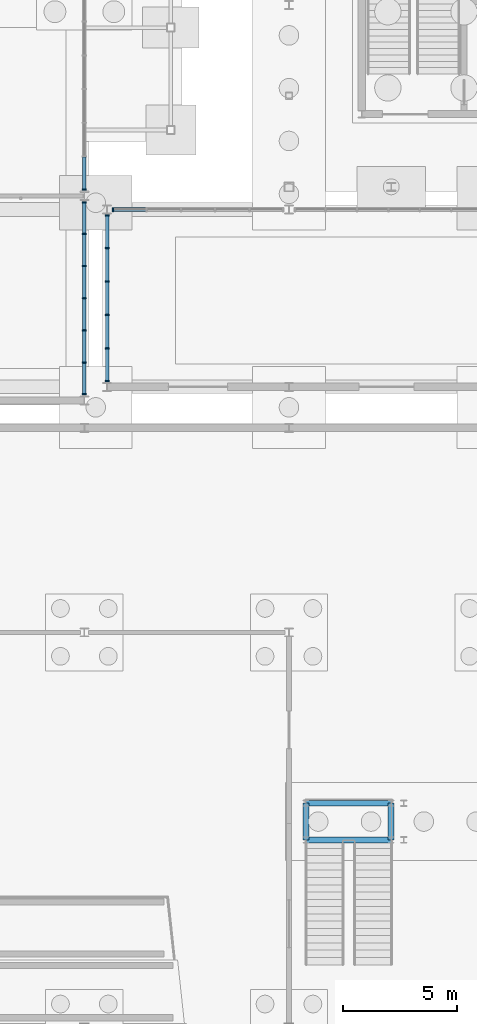
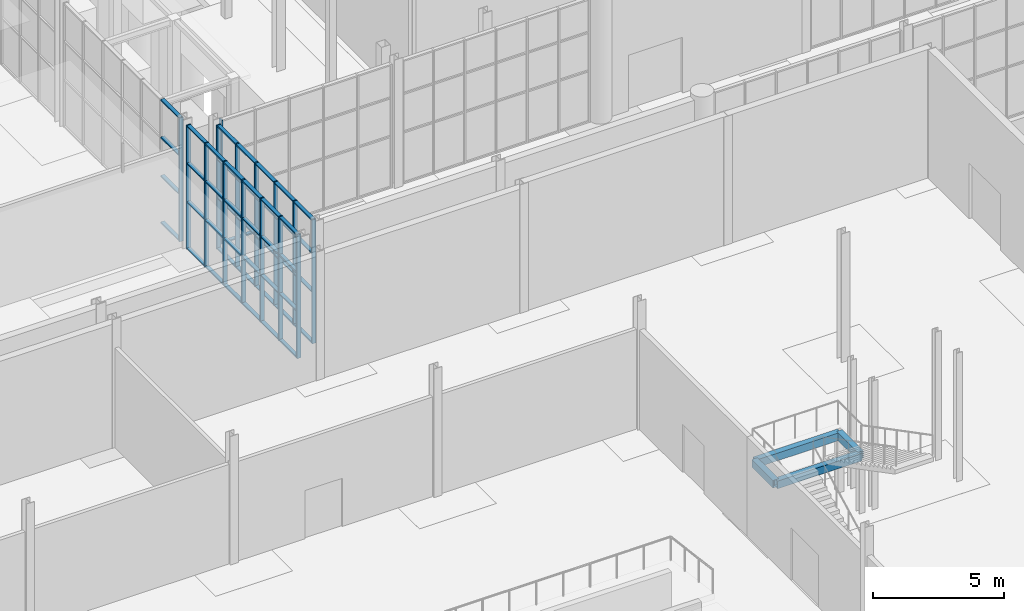
# One storey, part 40 of 131: 64 members, 4 beams, 4 elements without a shape of their own.
"""IFC4 building model written with IfcOpenShell, lengths in metres."""

from ifc_helpers import new_model, si_unit, direction, frame, origin, origin_2d, place, context, subcontext, project, spatial, rectangle, hollow_rectangle, extrude, material, layer, layer_set, material_profile, profile_set, type_object, element, aggregate, save


model = new_model("IFC4")

# Units and contexts
model_context = context("Model", 3, precision=1e-05, world=origin(), true_north=direction((0.0, 1.0)))
body_context = subcontext(model_context, "Body", "Model", "MODEL_VIEW")
ifc_project = project(units=[si_unit("LENGTHUNIT", "METRE"), si_unit("AREAUNIT", "SQUARE_METRE"), si_unit("VOLUMEUNIT", "CUBIC_METRE"), si_unit("PLANEANGLEUNIT", "RADIAN"), si_unit("MASSUNIT", "GRAM", prefix="KILO")], contexts=[model_context])

# Site, building, storey
site_placement = place(None, origin())
site = spatial("IfcSite", under=ifc_project, at=site_placement, CompositionType="ELEMENT")
building_placement = place(site_placement, origin())
building = spatial("IfcBuilding", under=site, at=building_placement, Name="Cazmaro Siding Exhibition Halls", CompositionType="ELEMENT")
storey_placement = place(building_placement, origin())
storey = spatial("IfcBuildingStorey", under=building, at=storey_placement, Name="L00", CompositionType="ELEMENT", Elevation=0.0)

# Beams
ifc_material_1 = material(Name="Steel ASTM A500 Grade C", Category="steel")
ifc_material_profile_1 = material_profile(ifc_material_1, hollow_rectangle(XDim=0.25390625, YDim=0.35595703125, WallThickness=0.014892578125, at=origin_2d()), Name="HSS14X10X5/8")
ifc_profile_set_1 = profile_set([ifc_material_profile_1], Name="Steel ASTM A500 Grade C")
beam_type = type_object("IfcBeamType", Name="B-06", PredefinedType="BEAM", material=ifc_profile_set_1)
for number, where, z_axis, x_axis, name in (
    (1, (45.75, 35.27001953125, 2.6220703125), (1.0, 0.0, 0.0), (0.0, 1.0, 0.0), "Beam B-06 BM-2490"),
    (2, (45.75, 36.889892578125, 2.6220703125), (1.0, 0.0, 0.0), (0.0, 1.0, 0.0), "Beam B-06 BM-2491"),
):
    element("IfcBeam", number, at=place(storey_placement, frame(where, z_axis=z_axis, x_axis=x_axis)), inside=storey, type_object=beam_type, Name=name, PredefinedType="BEAM", context=body_context, shape_type="SweptSolid", body=[
        extrude(hollow_rectangle(XDim=0.25390625, YDim=0.35595703125, WallThickness=0.014892578125, at=origin_2d()), origin(), (0.0, 0.0, 1.0), 3.739990234375),
    ])
for number, where, z_axis, x_axis, name in (
    (3, (45.75, 35.27001953125, 2.6220703125), (0.0, 1.0, 0.0), (-1.0, 0.0, 0.0), "Beam B-06 BM-2492"),
    (4, (49.489990234375, 35.27001953125, 2.6220703125), (0.0, 1.0, 0.0), (-1.0, 0.0, 0.0), "Beam B-06 BM-2493"),
):
    element("IfcBeam", number, at=place(storey_placement, frame(where, z_axis=z_axis, x_axis=x_axis)), inside=storey, type_object=beam_type, Name=name, PredefinedType="BEAM", context=body_context, shape_type="SweptSolid", body=[
        extrude(hollow_rectangle(XDim=0.25390625, YDim=0.35595703125, WallThickness=0.014892578125, at=origin_2d()), origin(), (0.0, 0.0, 1.0), 1.619873046875),
    ])

# Curtain wall, member
ifc_material_2 = material(Name="Anodized Bronze Aluminum and Solar-Control Low-E Glazing", Category="aluminium")
ifc_layer = layer(ifc_material_2, 0.179931640625)
ifc_layer_set = layer_set([ifc_layer], Name="Anodized Bronze Aluminum and Solar-Control Low-E Glazing")
curtain_wall_type = type_object("IfcCurtainWallType", Name="CWS-01", PredefinedType="USERDEFINED", material=ifc_layer_set)
curtain_wall_1_placement = place(storey_placement, origin())
curtain_wall_1 = element("IfcCurtainWall", 5, at=curtain_wall_1_placement, inside=storey, type_object=curtain_wall_type, Name="Glazed Curtain Wall CWS-01 CW-140", ObjectType="GLAZED CURTAIN WALL", PredefinedType="USERDEFINED")
ifc_material_3 = material(Name="Anodized Bronze Extruded Aluminum", Category="aluminium")
ifc_material_profile_2 = material_profile(ifc_material_3, rectangle(XDim=0.179931640625, YDim=0.06005859375, at=origin_2d()), Name="CWM-01")
ifc_profile_set_2 = profile_set([ifc_material_profile_2], Name="Anodized Bronze Extruded Aluminum")
member_type_1 = type_object("IfcMemberType", Name="CWM-01", PredefinedType="MULLION", material=ifc_profile_set_2)
member_1_placement = place(storey_placement, frame((37.260009765625, 63.0, 0.0), z_axis=(0.0, 0.0, 1.0), x_axis=(0.0, -1.0, 0.0)))
member_1 = element("IfcMember", 6, at=member_1_placement, type_object=member_type_1, Name="CWS-01 mullion 6", PredefinedType="MULLION", context=body_context, shape_type="SweptSolid", body=[
    extrude(rectangle(XDim=0.179931640625, YDim=0.06005859375, at=origin_2d()), origin(), (0.0, 0.0, 1.0), 5.780029296875),
])

# Curtain wall, members
curtain_wall_2_placement = place(storey_placement, origin())
curtain_wall_2 = element("IfcCurtainWall", 7, at=curtain_wall_2_placement, inside=storey, type_object=curtain_wall_type, Name="Glazed Curtain Wall CWS-01 CW-210", ObjectType="GLAZED CURTAIN WALL", PredefinedType="USERDEFINED")
member_2_placement = place(storey_placement, frame((37.0, 62.742919921875, 0.0), z_axis=(0.0, 0.0, 1.0), x_axis=(1.0, 0.0, 0.0)))
member_2 = element("IfcMember", 8, at=member_2_placement, type_object=member_type_1, Name="CWS-01 mullion 1", PredefinedType="MULLION", context=body_context, shape_type="SweptSolid", body=[
    extrude(rectangle(XDim=0.179931640625, YDim=0.06005859375, at=origin_2d()), origin(), (0.0, 0.0, 1.0), 5.780029296875),
])
member_3_placement = place(storey_placement, frame((37.0, 61.3037109375, 0.0), z_axis=(0.0, 0.0, 1.0), x_axis=(1.0, 0.0, 0.0)))
member_3 = element("IfcMember", 9, at=member_3_placement, type_object=member_type_1, Name="CWS-01 mullion 2", PredefinedType="MULLION", context=body_context, shape_type="SweptSolid", body=[
    extrude(rectangle(XDim=0.179931640625, YDim=0.06005859375, at=origin_2d()), origin(), (0.0, 0.0, 1.0), 5.780029296875),
])
member_4_placement = place(storey_placement, frame((37.0, 59.834716796875, 0.0), z_axis=(0.0, 0.0, 1.0), x_axis=(1.0, 0.0, 0.0)))
member_4 = element("IfcMember", 10, at=member_4_placement, type_object=member_type_1, Name="CWS-01 mullion 3", PredefinedType="MULLION", context=body_context, shape_type="SweptSolid", body=[
    extrude(rectangle(XDim=0.179931640625, YDim=0.06005859375, at=origin_2d()), origin(), (0.0, 0.0, 1.0), 5.780029296875),
])
member_5_placement = place(storey_placement, frame((37.0, 58.365478515625, 0.0), z_axis=(0.0, 0.0, 1.0), x_axis=(1.0, 0.0, 0.0)))
member_5 = element("IfcMember", 11, at=member_5_placement, type_object=member_type_1, Name="CWS-01 mullion 4", PredefinedType="MULLION", context=body_context, shape_type="SweptSolid", body=[
    extrude(rectangle(XDim=0.179931640625, YDim=0.06005859375, at=origin_2d()), origin(), (0.0, 0.0, 1.0), 5.780029296875),
])
member_6_placement = place(storey_placement, frame((37.0, 56.896240234375, 0.0), z_axis=(0.0, 0.0, 1.0), x_axis=(1.0, 0.0, 0.0)))
member_6 = element("IfcMember", 12, at=member_6_placement, type_object=member_type_1, Name="CWS-01 mullion 5", PredefinedType="MULLION", context=body_context, shape_type="SweptSolid", body=[
    extrude(rectangle(XDim=0.179931640625, YDim=0.06005859375, at=origin_2d()), origin(), (0.0, 0.0, 1.0), 5.780029296875),
])
member_7_placement = place(storey_placement, frame((37.0, 55.45703125, 0.0), z_axis=(0.0, 0.0, 1.0), x_axis=(1.0, 0.0, 0.0)))
member_7 = element("IfcMember", 13, at=member_7_placement, type_object=member_type_1, Name="CWS-01 mullion 6", PredefinedType="MULLION", context=body_context, shape_type="SweptSolid", body=[
    extrude(rectangle(XDim=0.179931640625, YDim=0.06005859375, at=origin_2d()), origin(), (0.0, 0.0, 1.0), 5.780029296875),
])

curtain_wall_3_placement = place(storey_placement, origin())
curtain_wall_3 = element("IfcCurtainWall", 14, at=curtain_wall_3_placement, inside=storey, type_object=curtain_wall_type, Name="Glazed Curtain Wall CWS-01 CW-223", ObjectType="GLAZED CURTAIN WALL", PredefinedType="USERDEFINED")
member_8_placement = place(storey_placement, frame((36.0, 54.883056640625, 0.0), z_axis=(0.0, 0.0, 1.0), x_axis=(-1.0, 0.0, 0.0)))
member_8 = element("IfcMember", 15, at=member_8_placement, type_object=member_type_1, Name="CWS-01 mullion 1", PredefinedType="MULLION", context=body_context, shape_type="SweptSolid", body=[
    extrude(rectangle(XDim=0.179931640625, YDim=0.06005859375, at=origin_2d()), origin(), (0.0, 0.0, 1.0), 5.780029296875),
])
member_9_placement = place(storey_placement, frame((36.0, 56.2685546875, 0.0), z_axis=(0.0, 0.0, 1.0), x_axis=(-1.0, 0.0, 0.0)))
member_9 = element("IfcMember", 16, at=member_9_placement, type_object=member_type_1, Name="CWS-01 mullion 2", PredefinedType="MULLION", context=body_context, shape_type="SweptSolid", body=[
    extrude(rectangle(XDim=0.179931640625, YDim=0.06005859375, at=origin_2d()), origin(), (0.0, 0.0, 1.0), 5.780029296875),
])
member_10_placement = place(storey_placement, frame((36.0, 57.684326171875, 0.0), z_axis=(0.0, 0.0, 1.0), x_axis=(-1.0, 0.0, 0.0)))
member_10 = element("IfcMember", 17, at=member_10_placement, type_object=member_type_1, Name="CWS-01 mullion 3", PredefinedType="MULLION", context=body_context, shape_type="SweptSolid", body=[
    extrude(rectangle(XDim=0.179931640625, YDim=0.06005859375, at=origin_2d()), origin(), (0.0, 0.0, 1.0), 5.780029296875),
])
member_11_placement = place(storey_placement, frame((36.0, 59.10009765625, 0.0), z_axis=(0.0, 0.0, 1.0), x_axis=(-1.0, 0.0, 0.0)))
member_11 = element("IfcMember", 18, at=member_11_placement, type_object=member_type_1, Name="CWS-01 mullion 4", PredefinedType="MULLION", context=body_context, shape_type="SweptSolid", body=[
    extrude(rectangle(XDim=0.179931640625, YDim=0.06005859375, at=origin_2d()), origin(), (0.0, 0.0, 1.0), 5.780029296875),
])
member_12_placement = place(storey_placement, frame((36.0, 60.515625, 0.0), z_axis=(0.0, 0.0, 1.0), x_axis=(-1.0, 0.0, 0.0)))
member_12 = element("IfcMember", 19, at=member_12_placement, type_object=member_type_1, Name="CWS-01 mullion 5", PredefinedType="MULLION", context=body_context, shape_type="SweptSolid", body=[
    extrude(rectangle(XDim=0.179931640625, YDim=0.06005859375, at=origin_2d()), origin(), (0.0, 0.0, 1.0), 5.780029296875),
])
member_13_placement = place(storey_placement, frame((36.0, 61.931396484375, 0.0), z_axis=(0.0, 0.0, 1.0), x_axis=(-1.0, 0.0, 0.0)))
member_13 = element("IfcMember", 20, at=member_13_placement, type_object=member_type_1, Name="CWS-01 mullion 6", PredefinedType="MULLION", context=body_context, shape_type="SweptSolid", body=[
    extrude(rectangle(XDim=0.179931640625, YDim=0.06005859375, at=origin_2d()), origin(), (0.0, 0.0, 1.0), 5.780029296875),
])
member_14_placement = place(storey_placement, frame((36.0, 63.31689453125, 0.0), z_axis=(0.0, 0.0, 1.0), x_axis=(-1.0, 0.0, 0.0)))
member_14 = element("IfcMember", 21, at=member_14_placement, type_object=member_type_1, Name="CWS-01 mullion 7", PredefinedType="MULLION", context=body_context, shape_type="SweptSolid", body=[
    extrude(rectangle(XDim=0.179931640625, YDim=0.06005859375, at=origin_2d()), origin(), (0.0, 0.0, 1.0), 5.780029296875),
])

# Curtain wall, member
curtain_wall_4_placement = place(storey_placement, origin())
curtain_wall_4 = element("IfcCurtainWall", 22, at=curtain_wall_4_placement, inside=storey, type_object=curtain_wall_type, Name="Glazed Curtain Wall CWS-01 CW-225", ObjectType="GLAZED CURTAIN WALL", PredefinedType="USERDEFINED")
member_15_placement = place(storey_placement, frame((36.0, 63.883056640625, 0.0), z_axis=(0.0, 0.0, 1.0), x_axis=(-1.0, 0.0, 0.0)))
member_15 = element("IfcMember", 23, at=member_15_placement, type_object=member_type_1, Name="CWS-01 mullion 1", PredefinedType="MULLION", context=body_context, shape_type="SweptSolid", body=[
    extrude(rectangle(XDim=0.179931640625, YDim=0.06005859375, at=origin_2d()), origin(), (0.0, 0.0, 1.0), 5.780029296875),
])

# Member
ifc_material_4 = material(Name="Anodized Bronze Extruded Aluminum", Category="aluminium")
ifc_material_profile_3 = material_profile(ifc_material_4, rectangle(XDim=0.159912109375, YDim=0.06005859375, at=origin_2d()), Name="CWT-01")
ifc_profile_set_3 = profile_set([ifc_material_profile_3], Name="Anodized Bronze Extruded Aluminum")
member_type_2 = type_object("IfcMemberType", Name="CWT-01", PredefinedType="MULLION", material=ifc_profile_set_3)
member_16_placement = place(storey_placement, frame((38.7080078125, 63.0, 0.030029296875), z_axis=(-1.0, 0.0, 0.0), x_axis=(0.0, -1.0, 0.0)))
member_16 = element("IfcMember", 24, at=member_16_placement, type_object=member_type_2, Name="CWS-01 transom 5.1", ObjectType="TRANSOM", PredefinedType="USERDEFINED", context=body_context, shape_type="SweptSolid", body=[
    extrude(rectangle(XDim=0.159912109375, YDim=0.06005859375, at=origin_2d()), origin(), (0.0, 0.0, 1.0), 1.41796875),
])

aggregate(curtain_wall_1, [member_1, member_16])

member_17_placement = place(storey_placement, frame((37.0, 62.712890625, 0.030029296875), z_axis=(0.0, -1.0, 0.0), x_axis=(1.0, 0.0, 0.0)))
member_17 = element("IfcMember", 25, at=member_17_placement, type_object=member_type_2, Name="CWS-01 transom 1.1", ObjectType="TRANSOM", PredefinedType="USERDEFINED", context=body_context, shape_type="SweptSolid", body=[
    extrude(rectangle(XDim=0.159912109375, YDim=0.06005859375, at=origin_2d()), origin(), (0.0, 0.0, 1.0), 1.379150390625),
])

member_18_placement = place(storey_placement, frame((37.0, 62.712890625, 2.39990234375), z_axis=(0.0, -1.0, 0.0), x_axis=(1.0, 0.0, 0.0)))
member_18 = element("IfcMember", 26, at=member_18_placement, type_object=member_type_2, Name="CWS-01 transom 1.2", ObjectType="TRANSOM", PredefinedType="USERDEFINED", context=body_context, shape_type="SweptSolid", body=[
    extrude(rectangle(XDim=0.159912109375, YDim=0.06005859375, at=origin_2d()), origin(), (0.0, 0.0, 1.0), 1.379150390625),
])

member_19_placement = place(storey_placement, frame((37.0, 62.712890625, 4.199951171875), z_axis=(0.0, -1.0, 0.0), x_axis=(1.0, 0.0, 0.0)))
member_19 = element("IfcMember", 27, at=member_19_placement, type_object=member_type_2, Name="CWS-01 transom 1.3", ObjectType="TRANSOM", PredefinedType="USERDEFINED", context=body_context, shape_type="SweptSolid", body=[
    extrude(rectangle(XDim=0.159912109375, YDim=0.06005859375, at=origin_2d()), origin(), (0.0, 0.0, 1.0), 1.379150390625),
])

member_20_placement = place(storey_placement, frame((37.0, 62.712890625, 5.75), z_axis=(0.0, -1.0, 0.0), x_axis=(1.0, 0.0, 0.0)))
member_20 = element("IfcMember", 28, at=member_20_placement, type_object=member_type_2, Name="CWS-01 transom 1.4", ObjectType="TRANSOM", PredefinedType="USERDEFINED", context=body_context, shape_type="SweptSolid", body=[
    extrude(rectangle(XDim=0.159912109375, YDim=0.06005859375, at=origin_2d()), origin(), (0.0, 0.0, 1.0), 1.379150390625),
])

member_21_placement = place(storey_placement, frame((37.0, 61.273681640625, 0.030029296875), z_axis=(0.0, -1.0, 0.0), x_axis=(1.0, 0.0, 0.0)))
member_21 = element("IfcMember", 29, at=member_21_placement, type_object=member_type_2, Name="CWS-01 transom 2.1", ObjectType="TRANSOM", PredefinedType="USERDEFINED", context=body_context, shape_type="SweptSolid", body=[
    extrude(rectangle(XDim=0.159912109375, YDim=0.06005859375, at=origin_2d()), origin(), (0.0, 0.0, 1.0), 1.4091796875),
])

member_22_placement = place(storey_placement, frame((37.0, 61.273681640625, 2.39990234375), z_axis=(0.0, -1.0, 0.0), x_axis=(1.0, 0.0, 0.0)))
member_22 = element("IfcMember", 30, at=member_22_placement, type_object=member_type_2, Name="CWS-01 transom 2.2", ObjectType="TRANSOM", PredefinedType="USERDEFINED", context=body_context, shape_type="SweptSolid", body=[
    extrude(rectangle(XDim=0.159912109375, YDim=0.06005859375, at=origin_2d()), origin(), (0.0, 0.0, 1.0), 1.4091796875),
])

member_23_placement = place(storey_placement, frame((37.0, 61.273681640625, 4.199951171875), z_axis=(0.0, -1.0, 0.0), x_axis=(1.0, 0.0, 0.0)))
member_23 = element("IfcMember", 31, at=member_23_placement, type_object=member_type_2, Name="CWS-01 transom 2.3", ObjectType="TRANSOM", PredefinedType="USERDEFINED", context=body_context, shape_type="SweptSolid", body=[
    extrude(rectangle(XDim=0.159912109375, YDim=0.06005859375, at=origin_2d()), origin(), (0.0, 0.0, 1.0), 1.4091796875),
])

member_24_placement = place(storey_placement, frame((37.0, 61.273681640625, 5.75), z_axis=(0.0, -1.0, 0.0), x_axis=(1.0, 0.0, 0.0)))
member_24 = element("IfcMember", 32, at=member_24_placement, type_object=member_type_2, Name="CWS-01 transom 2.4", ObjectType="TRANSOM", PredefinedType="USERDEFINED", context=body_context, shape_type="SweptSolid", body=[
    extrude(rectangle(XDim=0.159912109375, YDim=0.06005859375, at=origin_2d()), origin(), (0.0, 0.0, 1.0), 1.4091796875),
])

member_25_placement = place(storey_placement, frame((37.0, 59.8046875, 0.030029296875), z_axis=(0.0, -1.0, 0.0), x_axis=(1.0, 0.0, 0.0)))
member_25 = element("IfcMember", 33, at=member_25_placement, type_object=member_type_2, Name="CWS-01 transom 3.1", ObjectType="TRANSOM", PredefinedType="USERDEFINED", context=body_context, shape_type="SweptSolid", body=[
    extrude(rectangle(XDim=0.159912109375, YDim=0.06005859375, at=origin_2d()), origin(), (0.0, 0.0, 1.0), 1.4091796875),
])

member_26_placement = place(storey_placement, frame((37.0, 59.8046875, 2.39990234375), z_axis=(0.0, -1.0, 0.0), x_axis=(1.0, 0.0, 0.0)))
member_26 = element("IfcMember", 34, at=member_26_placement, type_object=member_type_2, Name="CWS-01 transom 3.2", ObjectType="TRANSOM", PredefinedType="USERDEFINED", context=body_context, shape_type="SweptSolid", body=[
    extrude(rectangle(XDim=0.159912109375, YDim=0.06005859375, at=origin_2d()), origin(), (0.0, 0.0, 1.0), 1.4091796875),
])

member_27_placement = place(storey_placement, frame((37.0, 59.8046875, 4.199951171875), z_axis=(0.0, -1.0, 0.0), x_axis=(1.0, 0.0, 0.0)))
member_27 = element("IfcMember", 35, at=member_27_placement, type_object=member_type_2, Name="CWS-01 transom 3.3", ObjectType="TRANSOM", PredefinedType="USERDEFINED", context=body_context, shape_type="SweptSolid", body=[
    extrude(rectangle(XDim=0.159912109375, YDim=0.06005859375, at=origin_2d()), origin(), (0.0, 0.0, 1.0), 1.4091796875),
])

member_28_placement = place(storey_placement, frame((37.0, 59.8046875, 5.75), z_axis=(0.0, -1.0, 0.0), x_axis=(1.0, 0.0, 0.0)))
member_28 = element("IfcMember", 36, at=member_28_placement, type_object=member_type_2, Name="CWS-01 transom 3.4", ObjectType="TRANSOM", PredefinedType="USERDEFINED", context=body_context, shape_type="SweptSolid", body=[
    extrude(rectangle(XDim=0.159912109375, YDim=0.06005859375, at=origin_2d()), origin(), (0.0, 0.0, 1.0), 1.4091796875),
])

member_29_placement = place(storey_placement, frame((37.0, 58.33544921875, 0.030029296875), z_axis=(0.0, -1.0, 0.0), x_axis=(1.0, 0.0, 0.0)))
member_29 = element("IfcMember", 37, at=member_29_placement, type_object=member_type_2, Name="CWS-01 transom 4.1", ObjectType="TRANSOM", PredefinedType="USERDEFINED", context=body_context, shape_type="SweptSolid", body=[
    extrude(rectangle(XDim=0.159912109375, YDim=0.06005859375, at=origin_2d()), origin(), (0.0, 0.0, 1.0), 1.4091796875),
])

member_30_placement = place(storey_placement, frame((37.0, 58.33544921875, 2.39990234375), z_axis=(0.0, -1.0, 0.0), x_axis=(1.0, 0.0, 0.0)))
member_30 = element("IfcMember", 38, at=member_30_placement, type_object=member_type_2, Name="CWS-01 transom 4.2", ObjectType="TRANSOM", PredefinedType="USERDEFINED", context=body_context, shape_type="SweptSolid", body=[
    extrude(rectangle(XDim=0.159912109375, YDim=0.06005859375, at=origin_2d()), origin(), (0.0, 0.0, 1.0), 1.4091796875),
])

member_31_placement = place(storey_placement, frame((37.0, 58.33544921875, 4.199951171875), z_axis=(0.0, -1.0, 0.0), x_axis=(1.0, 0.0, 0.0)))
member_31 = element("IfcMember", 39, at=member_31_placement, type_object=member_type_2, Name="CWS-01 transom 4.3", ObjectType="TRANSOM", PredefinedType="USERDEFINED", context=body_context, shape_type="SweptSolid", body=[
    extrude(rectangle(XDim=0.159912109375, YDim=0.06005859375, at=origin_2d()), origin(), (0.0, 0.0, 1.0), 1.4091796875),
])

member_32_placement = place(storey_placement, frame((37.0, 58.33544921875, 5.75), z_axis=(0.0, -1.0, 0.0), x_axis=(1.0, 0.0, 0.0)))
member_32 = element("IfcMember", 40, at=member_32_placement, type_object=member_type_2, Name="CWS-01 transom 4.4", ObjectType="TRANSOM", PredefinedType="USERDEFINED", context=body_context, shape_type="SweptSolid", body=[
    extrude(rectangle(XDim=0.159912109375, YDim=0.06005859375, at=origin_2d()), origin(), (0.0, 0.0, 1.0), 1.4091796875),
])

member_33_placement = place(storey_placement, frame((37.0, 56.8662109375, 0.030029296875), z_axis=(0.0, -1.0, 0.0), x_axis=(1.0, 0.0, 0.0)))
member_33 = element("IfcMember", 41, at=member_33_placement, type_object=member_type_2, Name="CWS-01 transom 5.1", ObjectType="TRANSOM", PredefinedType="USERDEFINED", context=body_context, shape_type="SweptSolid", body=[
    extrude(rectangle(XDim=0.159912109375, YDim=0.06005859375, at=origin_2d()), origin(), (0.0, 0.0, 1.0), 1.379150390625),
])

member_34_placement = place(storey_placement, frame((37.0, 56.8662109375, 2.39990234375), z_axis=(0.0, -1.0, 0.0), x_axis=(1.0, 0.0, 0.0)))
member_34 = element("IfcMember", 42, at=member_34_placement, type_object=member_type_2, Name="CWS-01 transom 5.2", ObjectType="TRANSOM", PredefinedType="USERDEFINED", context=body_context, shape_type="SweptSolid", body=[
    extrude(rectangle(XDim=0.159912109375, YDim=0.06005859375, at=origin_2d()), origin(), (0.0, 0.0, 1.0), 1.379150390625),
])

member_35_placement = place(storey_placement, frame((37.0, 56.8662109375, 4.199951171875), z_axis=(0.0, -1.0, 0.0), x_axis=(1.0, 0.0, 0.0)))
member_35 = element("IfcMember", 43, at=member_35_placement, type_object=member_type_2, Name="CWS-01 transom 5.3", ObjectType="TRANSOM", PredefinedType="USERDEFINED", context=body_context, shape_type="SweptSolid", body=[
    extrude(rectangle(XDim=0.159912109375, YDim=0.06005859375, at=origin_2d()), origin(), (0.0, 0.0, 1.0), 1.379150390625),
])

member_36_placement = place(storey_placement, frame((37.0, 56.8662109375, 5.75), z_axis=(0.0, -1.0, 0.0), x_axis=(1.0, 0.0, 0.0)))
member_36 = element("IfcMember", 44, at=member_36_placement, type_object=member_type_2, Name="CWS-01 transom 5.4", ObjectType="TRANSOM", PredefinedType="USERDEFINED", context=body_context, shape_type="SweptSolid", body=[
    extrude(rectangle(XDim=0.159912109375, YDim=0.06005859375, at=origin_2d()), origin(), (0.0, 0.0, 1.0), 1.379150390625),
])

aggregate(curtain_wall_2, [member_2, member_3, member_4, member_5, member_6, member_7, member_17, member_18, member_19, member_20, member_21, member_22, member_23, member_24, member_25, member_26, member_27, member_28, member_29, member_30, member_31, member_32, member_33, member_34, member_35, member_36])

member_37_placement = place(storey_placement, frame((36.0, 54.9130859375, 0.030029296875), z_axis=(0.0, 1.0, 0.0), x_axis=(-1.0, 0.0, 0.0)))
member_37 = element("IfcMember", 45, at=member_37_placement, type_object=member_type_2, Name="CWS-01 transom 1.1", ObjectType="TRANSOM", PredefinedType="USERDEFINED", context=body_context, shape_type="SweptSolid", body=[
    extrude(rectangle(XDim=0.159912109375, YDim=0.06005859375, at=origin_2d()), origin(), (0.0, 0.0, 1.0), 1.32568359375),
])

member_38_placement = place(storey_placement, frame((36.0, 54.9130859375, 2.199951171875), z_axis=(0.0, 1.0, 0.0), x_axis=(-1.0, 0.0, 0.0)))
member_38 = element("IfcMember", 46, at=member_38_placement, type_object=member_type_2, Name="CWS-01 transom 1.2", ObjectType="TRANSOM", PredefinedType="USERDEFINED", context=body_context, shape_type="SweptSolid", body=[
    extrude(rectangle(XDim=0.159912109375, YDim=0.06005859375, at=origin_2d()), origin(), (0.0, 0.0, 1.0), 1.32568359375),
])

member_39_placement = place(storey_placement, frame((36.0, 54.9130859375, 4.0), z_axis=(0.0, 1.0, 0.0), x_axis=(-1.0, 0.0, 0.0)))
member_39 = element("IfcMember", 47, at=member_39_placement, type_object=member_type_2, Name="CWS-01 transom 1.3", ObjectType="TRANSOM", PredefinedType="USERDEFINED", context=body_context, shape_type="SweptSolid", body=[
    extrude(rectangle(XDim=0.159912109375, YDim=0.06005859375, at=origin_2d()), origin(), (0.0, 0.0, 1.0), 1.32568359375),
])

member_40_placement = place(storey_placement, frame((36.0, 54.9130859375, 5.75), z_axis=(0.0, 1.0, 0.0), x_axis=(-1.0, 0.0, 0.0)))
member_40 = element("IfcMember", 48, at=member_40_placement, type_object=member_type_2, Name="CWS-01 transom 1.4", ObjectType="TRANSOM", PredefinedType="USERDEFINED", context=body_context, shape_type="SweptSolid", body=[
    extrude(rectangle(XDim=0.159912109375, YDim=0.06005859375, at=origin_2d()), origin(), (0.0, 0.0, 1.0), 1.32568359375),
])

member_41_placement = place(storey_placement, frame((36.0, 56.298583984375, 0.030029296875), z_axis=(0.0, 1.0, 0.0), x_axis=(-1.0, 0.0, 0.0)))
member_41 = element("IfcMember", 49, at=member_41_placement, type_object=member_type_2, Name="CWS-01 transom 2.1", ObjectType="TRANSOM", PredefinedType="USERDEFINED", context=body_context, shape_type="SweptSolid", body=[
    extrude(rectangle(XDim=0.159912109375, YDim=0.06005859375, at=origin_2d()), origin(), (0.0, 0.0, 1.0), 1.355712890625),
])

member_42_placement = place(storey_placement, frame((36.0, 56.298583984375, 2.199951171875), z_axis=(0.0, 1.0, 0.0), x_axis=(-1.0, 0.0, 0.0)))
member_42 = element("IfcMember", 50, at=member_42_placement, type_object=member_type_2, Name="CWS-01 transom 2.2", ObjectType="TRANSOM", PredefinedType="USERDEFINED", context=body_context, shape_type="SweptSolid", body=[
    extrude(rectangle(XDim=0.159912109375, YDim=0.06005859375, at=origin_2d()), origin(), (0.0, 0.0, 1.0), 1.355712890625),
])

member_43_placement = place(storey_placement, frame((36.0, 56.298583984375, 4.0), z_axis=(0.0, 1.0, 0.0), x_axis=(-1.0, 0.0, 0.0)))
member_43 = element("IfcMember", 51, at=member_43_placement, type_object=member_type_2, Name="CWS-01 transom 2.3", ObjectType="TRANSOM", PredefinedType="USERDEFINED", context=body_context, shape_type="SweptSolid", body=[
    extrude(rectangle(XDim=0.159912109375, YDim=0.06005859375, at=origin_2d()), origin(), (0.0, 0.0, 1.0), 1.355712890625),
])

member_44_placement = place(storey_placement, frame((36.0, 56.298583984375, 5.75), z_axis=(0.0, 1.0, 0.0), x_axis=(-1.0, 0.0, 0.0)))
member_44 = element("IfcMember", 52, at=member_44_placement, type_object=member_type_2, Name="CWS-01 transom 2.4", ObjectType="TRANSOM", PredefinedType="USERDEFINED", context=body_context, shape_type="SweptSolid", body=[
    extrude(rectangle(XDim=0.159912109375, YDim=0.06005859375, at=origin_2d()), origin(), (0.0, 0.0, 1.0), 1.355712890625),
])

member_45_placement = place(storey_placement, frame((36.0, 57.71435546875, 0.030029296875), z_axis=(0.0, 1.0, 0.0), x_axis=(-1.0, 0.0, 0.0)))
member_45 = element("IfcMember", 53, at=member_45_placement, type_object=member_type_2, Name="CWS-01 transom 3.1", ObjectType="TRANSOM", PredefinedType="USERDEFINED", context=body_context, shape_type="SweptSolid", body=[
    extrude(rectangle(XDim=0.159912109375, YDim=0.06005859375, at=origin_2d()), origin(), (0.0, 0.0, 1.0), 1.355712890625),
])

member_46_placement = place(storey_placement, frame((36.0, 57.71435546875, 2.199951171875), z_axis=(0.0, 1.0, 0.0), x_axis=(-1.0, 0.0, 0.0)))
member_46 = element("IfcMember", 54, at=member_46_placement, type_object=member_type_2, Name="CWS-01 transom 3.2", ObjectType="TRANSOM", PredefinedType="USERDEFINED", context=body_context, shape_type="SweptSolid", body=[
    extrude(rectangle(XDim=0.159912109375, YDim=0.06005859375, at=origin_2d()), origin(), (0.0, 0.0, 1.0), 1.355712890625),
])

member_47_placement = place(storey_placement, frame((36.0, 57.71435546875, 4.0), z_axis=(0.0, 1.0, 0.0), x_axis=(-1.0, 0.0, 0.0)))
member_47 = element("IfcMember", 55, at=member_47_placement, type_object=member_type_2, Name="CWS-01 transom 3.3", ObjectType="TRANSOM", PredefinedType="USERDEFINED", context=body_context, shape_type="SweptSolid", body=[
    extrude(rectangle(XDim=0.159912109375, YDim=0.06005859375, at=origin_2d()), origin(), (0.0, 0.0, 1.0), 1.355712890625),
])

member_48_placement = place(storey_placement, frame((36.0, 57.71435546875, 5.75), z_axis=(0.0, 1.0, 0.0), x_axis=(-1.0, 0.0, 0.0)))
member_48 = element("IfcMember", 56, at=member_48_placement, type_object=member_type_2, Name="CWS-01 transom 3.4", ObjectType="TRANSOM", PredefinedType="USERDEFINED", context=body_context, shape_type="SweptSolid", body=[
    extrude(rectangle(XDim=0.159912109375, YDim=0.06005859375, at=origin_2d()), origin(), (0.0, 0.0, 1.0), 1.355712890625),
])

member_49_placement = place(storey_placement, frame((36.0, 59.1298828125, 0.030029296875), z_axis=(0.0, 1.0, 0.0), x_axis=(-1.0, 0.0, 0.0)))
member_49 = element("IfcMember", 57, at=member_49_placement, type_object=member_type_2, Name="CWS-01 transom 4.1", ObjectType="TRANSOM", PredefinedType="USERDEFINED", context=body_context, shape_type="SweptSolid", body=[
    extrude(rectangle(XDim=0.159912109375, YDim=0.06005859375, at=origin_2d()), origin(), (0.0, 0.0, 1.0), 1.355712890625),
])

member_50_placement = place(storey_placement, frame((36.0, 59.1298828125, 2.199951171875), z_axis=(0.0, 1.0, 0.0), x_axis=(-1.0, 0.0, 0.0)))
member_50 = element("IfcMember", 58, at=member_50_placement, type_object=member_type_2, Name="CWS-01 transom 4.2", ObjectType="TRANSOM", PredefinedType="USERDEFINED", context=body_context, shape_type="SweptSolid", body=[
    extrude(rectangle(XDim=0.159912109375, YDim=0.06005859375, at=origin_2d()), origin(), (0.0, 0.0, 1.0), 1.355712890625),
])

member_51_placement = place(storey_placement, frame((36.0, 59.1298828125, 4.0), z_axis=(0.0, 1.0, 0.0), x_axis=(-1.0, 0.0, 0.0)))
member_51 = element("IfcMember", 59, at=member_51_placement, type_object=member_type_2, Name="CWS-01 transom 4.3", ObjectType="TRANSOM", PredefinedType="USERDEFINED", context=body_context, shape_type="SweptSolid", body=[
    extrude(rectangle(XDim=0.159912109375, YDim=0.06005859375, at=origin_2d()), origin(), (0.0, 0.0, 1.0), 1.355712890625),
])

member_52_placement = place(storey_placement, frame((36.0, 59.1298828125, 5.75), z_axis=(0.0, 1.0, 0.0), x_axis=(-1.0, 0.0, 0.0)))
member_52 = element("IfcMember", 60, at=member_52_placement, type_object=member_type_2, Name="CWS-01 transom 4.4", ObjectType="TRANSOM", PredefinedType="USERDEFINED", context=body_context, shape_type="SweptSolid", body=[
    extrude(rectangle(XDim=0.159912109375, YDim=0.06005859375, at=origin_2d()), origin(), (0.0, 0.0, 1.0), 1.355712890625),
])

member_53_placement = place(storey_placement, frame((36.0, 60.545654296875, 0.030029296875), z_axis=(0.0, 1.0, 0.0), x_axis=(-1.0, 0.0, 0.0)))
member_53 = element("IfcMember", 61, at=member_53_placement, type_object=member_type_2, Name="CWS-01 transom 5.1", ObjectType="TRANSOM", PredefinedType="USERDEFINED", context=body_context, shape_type="SweptSolid", body=[
    extrude(rectangle(XDim=0.159912109375, YDim=0.06005859375, at=origin_2d()), origin(), (0.0, 0.0, 1.0), 1.355712890625),
])

member_54_placement = place(storey_placement, frame((36.0, 60.545654296875, 2.199951171875), z_axis=(0.0, 1.0, 0.0), x_axis=(-1.0, 0.0, 0.0)))
member_54 = element("IfcMember", 62, at=member_54_placement, type_object=member_type_2, Name="CWS-01 transom 5.2", ObjectType="TRANSOM", PredefinedType="USERDEFINED", context=body_context, shape_type="SweptSolid", body=[
    extrude(rectangle(XDim=0.159912109375, YDim=0.06005859375, at=origin_2d()), origin(), (0.0, 0.0, 1.0), 1.355712890625),
])

member_55_placement = place(storey_placement, frame((36.0, 60.545654296875, 4.0), z_axis=(0.0, 1.0, 0.0), x_axis=(-1.0, 0.0, 0.0)))
member_55 = element("IfcMember", 63, at=member_55_placement, type_object=member_type_2, Name="CWS-01 transom 5.3", ObjectType="TRANSOM", PredefinedType="USERDEFINED", context=body_context, shape_type="SweptSolid", body=[
    extrude(rectangle(XDim=0.159912109375, YDim=0.06005859375, at=origin_2d()), origin(), (0.0, 0.0, 1.0), 1.355712890625),
])

member_56_placement = place(storey_placement, frame((36.0, 60.545654296875, 5.75), z_axis=(0.0, 1.0, 0.0), x_axis=(-1.0, 0.0, 0.0)))
member_56 = element("IfcMember", 64, at=member_56_placement, type_object=member_type_2, Name="CWS-01 transom 5.4", ObjectType="TRANSOM", PredefinedType="USERDEFINED", context=body_context, shape_type="SweptSolid", body=[
    extrude(rectangle(XDim=0.159912109375, YDim=0.06005859375, at=origin_2d()), origin(), (0.0, 0.0, 1.0), 1.355712890625),
])

member_57_placement = place(storey_placement, frame((36.0, 61.96142578125, 0.030029296875), z_axis=(0.0, 1.0, 0.0), x_axis=(-1.0, 0.0, 0.0)))
member_57 = element("IfcMember", 65, at=member_57_placement, type_object=member_type_2, Name="CWS-01 transom 6.1", ObjectType="TRANSOM", PredefinedType="USERDEFINED", context=body_context, shape_type="SweptSolid", body=[
    extrude(rectangle(XDim=0.159912109375, YDim=0.06005859375, at=origin_2d()), origin(), (0.0, 0.0, 1.0), 1.32568359375),
])

member_58_placement = place(storey_placement, frame((36.0, 61.96142578125, 2.199951171875), z_axis=(0.0, 1.0, 0.0), x_axis=(-1.0, 0.0, 0.0)))
member_58 = element("IfcMember", 66, at=member_58_placement, type_object=member_type_2, Name="CWS-01 transom 6.2", ObjectType="TRANSOM", PredefinedType="USERDEFINED", context=body_context, shape_type="SweptSolid", body=[
    extrude(rectangle(XDim=0.159912109375, YDim=0.06005859375, at=origin_2d()), origin(), (0.0, 0.0, 1.0), 1.32568359375),
])

member_59_placement = place(storey_placement, frame((36.0, 61.96142578125, 4.0), z_axis=(0.0, 1.0, 0.0), x_axis=(-1.0, 0.0, 0.0)))
member_59 = element("IfcMember", 67, at=member_59_placement, type_object=member_type_2, Name="CWS-01 transom 6.3", ObjectType="TRANSOM", PredefinedType="USERDEFINED", context=body_context, shape_type="SweptSolid", body=[
    extrude(rectangle(XDim=0.159912109375, YDim=0.06005859375, at=origin_2d()), origin(), (0.0, 0.0, 1.0), 1.32568359375),
])

member_60_placement = place(storey_placement, frame((36.0, 61.96142578125, 5.75), z_axis=(0.0, 1.0, 0.0), x_axis=(-1.0, 0.0, 0.0)))
member_60 = element("IfcMember", 68, at=member_60_placement, type_object=member_type_2, Name="CWS-01 transom 6.4", ObjectType="TRANSOM", PredefinedType="USERDEFINED", context=body_context, shape_type="SweptSolid", body=[
    extrude(rectangle(XDim=0.159912109375, YDim=0.06005859375, at=origin_2d()), origin(), (0.0, 0.0, 1.0), 1.32568359375),
])

aggregate(curtain_wall_3, [member_8, member_9, member_10, member_11, member_12, member_13, member_14, member_37, member_38, member_39, member_40, member_41, member_42, member_43, member_44, member_45, member_46, member_47, member_48, member_49, member_50, member_51, member_52, member_53, member_54, member_55, member_56, member_57, member_58, member_59, member_60])

member_61_placement = place(storey_placement, frame((36.0, 63.9130859375, 0.030029296875), z_axis=(0.0, 1.0, 0.0), x_axis=(-1.0, 0.0, 0.0)))
member_61 = element("IfcMember", 69, at=member_61_placement, type_object=member_type_2, Name="CWS-01 transom 1.1", ObjectType="TRANSOM", PredefinedType="USERDEFINED", context=body_context, shape_type="SweptSolid", body=[
    extrude(rectangle(XDim=0.159912109375, YDim=0.06005859375, at=origin_2d()), origin(), (0.0, 0.0, 1.0), 1.392333984375),
])

member_62_placement = place(storey_placement, frame((36.0, 63.9130859375, 2.199951171875), z_axis=(0.0, 1.0, 0.0), x_axis=(-1.0, 0.0, 0.0)))
member_62 = element("IfcMember", 70, at=member_62_placement, type_object=member_type_2, Name="CWS-01 transom 1.2", ObjectType="TRANSOM", PredefinedType="USERDEFINED", context=body_context, shape_type="SweptSolid", body=[
    extrude(rectangle(XDim=0.159912109375, YDim=0.06005859375, at=origin_2d()), origin(), (0.0, 0.0, 1.0), 1.392333984375),
])

member_63_placement = place(storey_placement, frame((36.0, 63.9130859375, 4.0), z_axis=(0.0, 1.0, 0.0), x_axis=(-1.0, 0.0, 0.0)))
member_63 = element("IfcMember", 71, at=member_63_placement, type_object=member_type_2, Name="CWS-01 transom 1.3", ObjectType="TRANSOM", PredefinedType="USERDEFINED", context=body_context, shape_type="SweptSolid", body=[
    extrude(rectangle(XDim=0.159912109375, YDim=0.06005859375, at=origin_2d()), origin(), (0.0, 0.0, 1.0), 1.392333984375),
])

member_64_placement = place(storey_placement, frame((36.0, 63.9130859375, 5.75), z_axis=(0.0, 1.0, 0.0), x_axis=(-1.0, 0.0, 0.0)))
member_64 = element("IfcMember", 72, at=member_64_placement, type_object=member_type_2, Name="CWS-01 transom 1.4", ObjectType="TRANSOM", PredefinedType="USERDEFINED", context=body_context, shape_type="SweptSolid", body=[
    extrude(rectangle(XDim=0.159912109375, YDim=0.06005859375, at=origin_2d()), origin(), (0.0, 0.0, 1.0), 1.392333984375),
])

aggregate(curtain_wall_4, [member_15, member_61, member_62, member_63, member_64])

save(model, "model.ifc")
